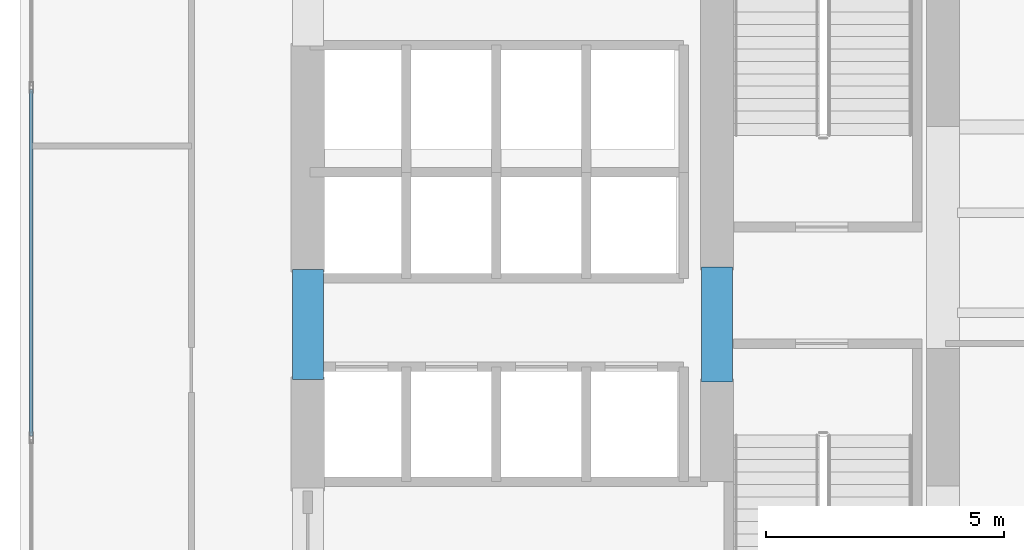
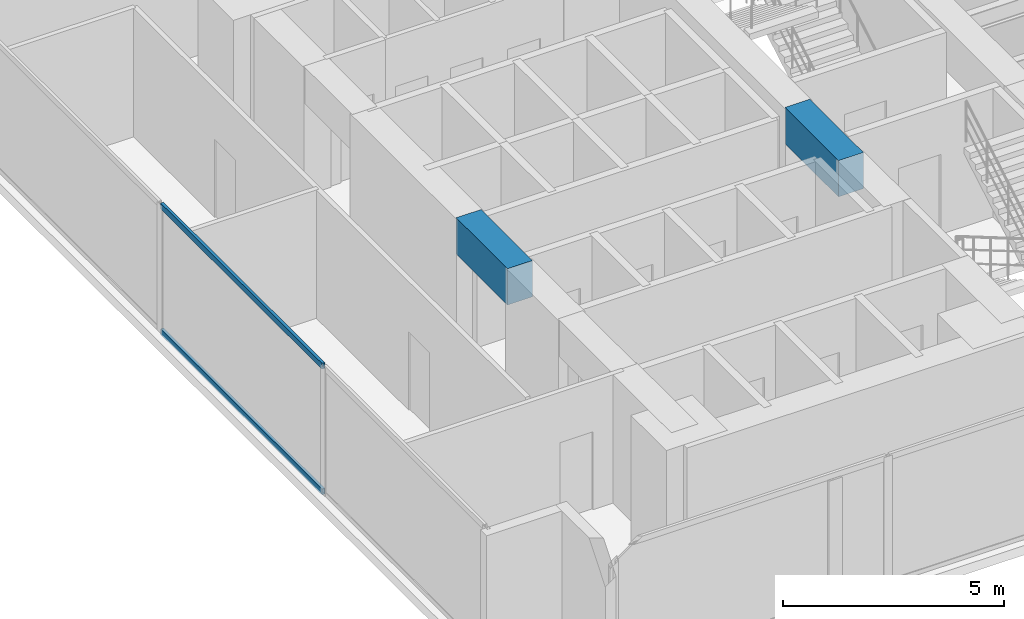
# One storey, part 3 of 26: 2 beams, 2 members, 1 element without a shape of its own.
"""IFC4 building model written with IfcOpenShell, lengths in metres."""

from ifc_helpers import new_model, si_unit, direction, frame, origin, origin_with_axes, origin_2d, place, context, subcontext, project, spatial, rectangle, hollow_rectangle, extrude, source, transform, mapped, material, layer, layer_set, material_profile, profile_set, type_object, element, aggregate, save


model = new_model("IFC4")

# Units and contexts
model_context = context("Model", 3, precision=1e-05, world=origin(), true_north=direction((0.0, 1.0)))
body_context = subcontext(model_context, "Body", "Model", "MODEL_VIEW")
ifc_project = project(units=[si_unit("LENGTHUNIT", "METRE"), si_unit("AREAUNIT", "SQUARE_METRE"), si_unit("VOLUMEUNIT", "CUBIC_METRE"), si_unit("PLANEANGLEUNIT", "RADIAN"), si_unit("MASSUNIT", "GRAM", prefix="KILO")], contexts=[model_context])

# Site, building, storey
site_placement = place(None, origin())
site = spatial("IfcSite", under=ifc_project, at=site_placement, CompositionType="ELEMENT")
building_placement = place(site_placement, origin())
building = spatial("IfcBuilding", under=site, at=building_placement, Name="Kolvaren Waterfront Exchange", CompositionType="ELEMENT")
storey_placement = place(building_placement, frame((0.0, 0.0, 48.60009765625)))
storey = spatial("IfcBuildingStorey", under=building, at=storey_placement, Name="L12", CompositionType="ELEMENT", Elevation=48.60009765625)

# Beams
ifc_material_1 = material(Name="Concrete C60/75", Category="concrete")
ifc_material_profile_1 = material_profile(ifc_material_1, rectangle(XDim=0.64990234375, YDim=1.0, at=origin_2d()), Name="RC-CB-1000x650")
ifc_profile_set_1 = profile_set([ifc_material_profile_1], Name="Concrete C60/75")
beam_type = type_object("IfcBeamType", Name="STR-CB-1000", PredefinedType="SPANDREL", material=ifc_profile_set_1)
beam_1_placement = place(storey_placement, frame((7.449951171875, 12.090087890625, 3.039794921875), z_axis=(0.0, 1.0, 0.0), x_axis=(-1.0, 0.0, 0.0)))
element("IfcBeam", 1, at=beam_1_placement, inside=storey, type_object=beam_type, Name="L12 core coupling beam 4", PredefinedType="SPANDREL", context=body_context, shape_type="SweptSolid", body=[
    extrude(rectangle(XDim=0.64990234375, YDim=1.0, at=origin_2d()), origin(), (0.0, 0.0, 1.0), 2.31982421875),
])
beam_2_placement = place(storey_placement, frame((16.050048828125, 12.0400390625, 3.039794921875), z_axis=(0.0, 1.0, 0.0), x_axis=(-1.0, 0.0, 0.0)))
element("IfcBeam", 2, at=beam_2_placement, inside=storey, type_object=beam_type, Name="L12 core coupling beam 6", PredefinedType="SPANDREL", context=body_context, shape_type="SweptSolid", body=[
    extrude(rectangle(XDim=0.64990234375, YDim=1.0, at=origin_2d()), origin(), (0.0, 0.0, 1.0), 2.419921875),
])

# Curtain wall, members
ifc_material_2 = material(Name="Anodised aluminium 6063-T6", Category="aluminium")
ifc_layer = layer(ifc_material_2, 0.219970703125, Name="Anodised aluminium 6063-T6")
ifc_layer_set = layer_set([ifc_layer], Name="Anodised aluminium 6063-T6")
curtain_wall_type = type_object("IfcCurtainWallType", Name="ARC-CW-SYS2", PredefinedType="USERDEFINED", material=ifc_layer_set)
curtain_wall_placement = place(storey_placement, origin())
curtain_wall = element("IfcCurtainWall", 3, at=curtain_wall_placement, inside=storey, type_object=curtain_wall_type, Name="L12 stick curtain wall CW2 (CW-L12-W)", ObjectType="STICK CURTAIN WALL", PredefinedType="USERDEFINED")
ifc_material_profile_2 = material_profile(ifc_material_2, hollow_rectangle(XDim=0.074951171875, YDim=0.159912109375, WallThickness=0.00439453125, at=origin_2d()), Name="ALU-TRN-160x75x4.5")
ifc_profile_set_2 = profile_set([ifc_material_profile_2], Name="Anodised aluminium 6063-T6")
member_type = type_object("IfcMemberType", Name="ARC-CWT-160", PredefinedType="USERDEFINED", material=ifc_profile_set_2)
shared_shape = source(origin_with_axes(), body_context, "Body", "SweptSolid", [
    extrude(hollow_rectangle(XDim=0.074951171875, YDim=0.159912109375, WallThickness=0.00439453125, at=origin_2d()), origin(), (0.0, 0.0, 1.0), 7.28662109375),
])
member_1_placement = place(storey_placement, frame((1.639892578125, 10.90673828125, 0.037353515625), z_axis=(0.0, 1.0, 0.0), x_axis=(-1.0, 0.0, 0.0)))
member_1 = element("IfcMember", 4, at=member_1_placement, type_object=member_type, Name="CW2 transom 2.1", ObjectType="TRANSOM", PredefinedType="USERDEFINED", context=body_context, shape_type="MappedRepresentation", body=[
    mapped(shared_shape, transform((0.0, 0.0, 0.0), x_axis=(1.0, 0.0, 0.0), y_axis=(0.0, 1.0, 0.0), z_axis=(0.0, 0.0, 1.0), scale=1.0)),
])
member_2_placement = place(storey_placement, frame((1.639892578125, 10.90673828125, 3.50244140625), z_axis=(0.0, 1.0, 0.0), x_axis=(-1.0, 0.0, 0.0)))
member_2 = element("IfcMember", 5, at=member_2_placement, type_object=member_type, Name="CW2 transom 2.2", ObjectType="TRANSOM", PredefinedType="USERDEFINED", context=body_context, shape_type="MappedRepresentation", body=[
    mapped(shared_shape, transform((0.0, 0.0, 0.0), x_axis=(1.0, 0.0, 0.0), y_axis=(0.0, 1.0, 0.0), z_axis=(0.0, 0.0, 1.0), scale=1.0)),
])
aggregate(curtain_wall, [member_1, member_2])

save(model, "model.ifc")
